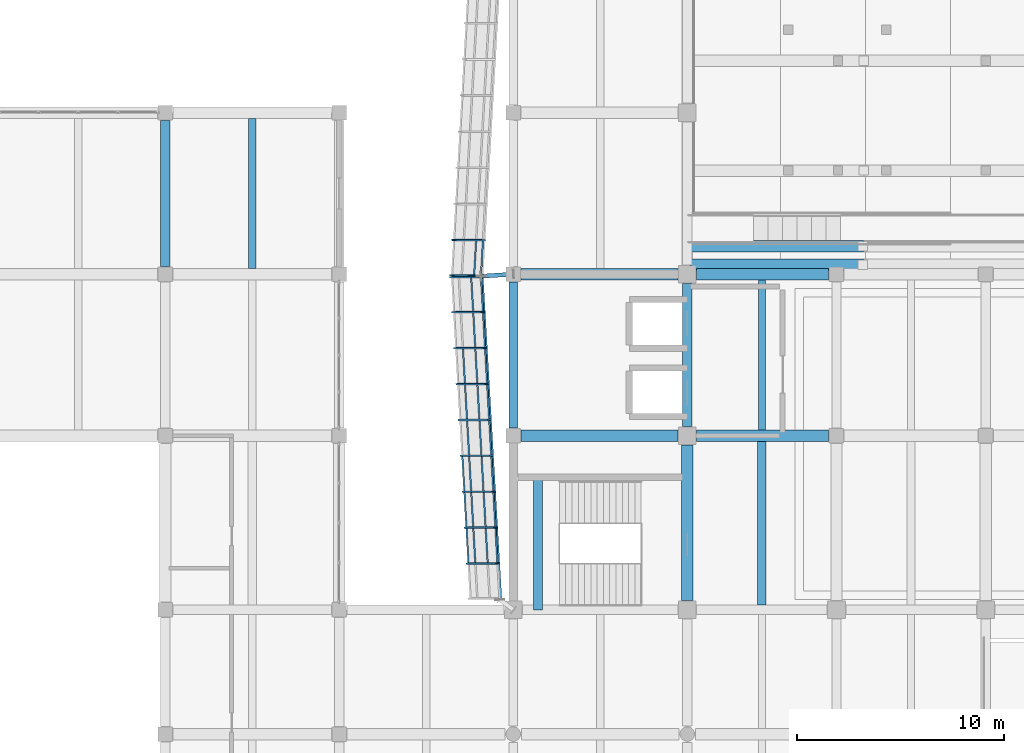
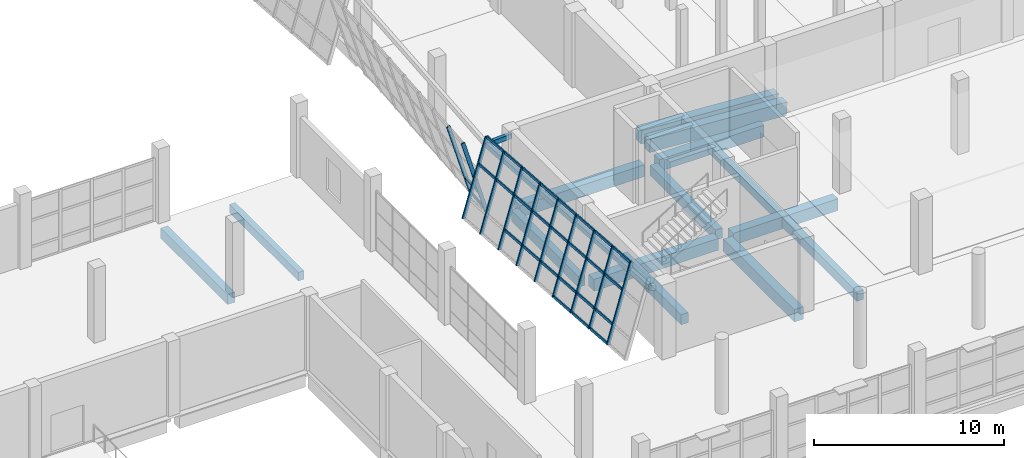
# One storey, part 29 of 91: 38 members, 16 beams, 2 elements without a shape of their own.
"""IFC4 building model written with IfcOpenShell, lengths in metres."""

from ifc_helpers import new_model, si_unit, direction, frame, origin, origin_2d, place, context, subcontext, project, spatial, rectangle, hollow_rectangle, extrude, material, material_profile, profile_set, type_object, element, aggregate, save


model = new_model("IFC4")

# Units and contexts
model_context = context("Model", 3, precision=1e-05, world=origin(), true_north=direction((0.0, 1.0)))
body_context = subcontext(model_context, "Body", "Model", "MODEL_VIEW")
ifc_project = project(units=[si_unit("LENGTHUNIT", "METRE"), si_unit("AREAUNIT", "SQUARE_METRE"), si_unit("VOLUMEUNIT", "CUBIC_METRE"), si_unit("PLANEANGLEUNIT", "RADIAN"), si_unit("MASSUNIT", "GRAM", prefix="KILO")], contexts=[model_context])

# Site, building, storey
site_placement = place(None, origin())
site = spatial("IfcSite", under=ifc_project, at=site_placement, CompositionType="ELEMENT")
building_placement = place(site_placement, origin())
building = spatial("IfcBuilding", under=site, at=building_placement, Name="Pellamere Symphony Hall", CompositionType="ELEMENT")
storey_placement = place(building_placement, frame((0.0, 0.0, 5.39990234375)))
storey = spatial("IfcBuildingStorey", under=building, at=storey_placement, Name="L01", CompositionType="ELEMENT", Elevation=5.39990234375)

# Curtain wall, members
ifc_material_1 = material(Name="Thermally Broken Anodised Aluminium 6063-T6 Curtain Wall", Category="aluminium")
curtain_wall_type = type_object("IfcCurtainWallType", Name="Curtain Wall CW-01 (Tilted Faceted Crystal Low-Iron Curtain Wall)", PredefinedType="NOTDEFINED", material=ifc_material_1)
curtain_wall_1_placement = place(storey_placement, origin())
curtain_wall_1 = element("IfcCurtainWall", 1, at=curtain_wall_1_placement, inside=storey, type_object=curtain_wall_type, Name="Crystal Faceted Curtain Wall CW-CR17 (L01)", PredefinedType="NOTDEFINED")
ifc_material_2 = material(Name="Anodised Architectural Aluminium 6063-T6", Category="aluminium")
ifc_material_profile_1 = material_profile(ifc_material_2, hollow_rectangle(XDim=0.074951171875, YDim=0.219970703125, WallThickness=0.0048828125, at=origin_2d()), Name="ALU-M75X220X5")
ifc_profile_set_1 = profile_set([ifc_material_profile_1], Name="Anodised Architectural Aluminium 6063-T6")
member_type_1 = type_object("IfcMemberType", Name="Curtain Wall Mullion ML-01 ALU-M75X220X5", PredefinedType="MULLION", material=ifc_profile_set_1)
member_1_placement = place(storey_placement, frame((48.949951171875, 47.844482421875, 0.0), z_axis=(-0.283977077304, 0.0, 0.958831069358), x_axis=(-0.054874749346, -0.99836096977, -0.016252259063)))
member_1 = element("IfcMember", 2, at=member_1_placement, type_object=member_type_1, Name="CW1-048 crystal mullion 9", PredefinedType="MULLION", context=body_context, shape_type="SweptSolid", body=[
    extrude(hollow_rectangle(XDim=0.074951171875, YDim=0.219970703125, WallThickness=0.0048828125, at=origin_2d()), origin(), (0.0, 0.0, 1.0), 5.006103515625),
])
member_2_placement = place(storey_placement, frame((48.85205078125, 46.137451171875, 0.0), z_axis=(-0.283977077304, 0.0, 0.958831069358), x_axis=(-0.054874749346, -0.99836096977, -0.016252259063)))
member_2 = element("IfcMember", 3, at=member_2_placement, type_object=member_type_1, Name="CW1-048 crystal mullion 10", PredefinedType="MULLION", context=body_context, shape_type="SweptSolid", body=[
    extrude(hollow_rectangle(XDim=0.074951171875, YDim=0.219970703125, WallThickness=0.0048828125, at=origin_2d()), origin(), (0.0, 0.0, 1.0), 5.006103515625),
])

curtain_wall_2_placement = place(storey_placement, origin())
curtain_wall_2 = element("IfcCurtainWall", 4, at=curtain_wall_2_placement, inside=storey, type_object=curtain_wall_type, Name="Crystal Faceted Curtain Wall CW-CR18 (L01)", PredefinedType="NOTDEFINED")
member_3_placement = place(storey_placement, frame((47.430419921875, 46.0625, 0.0), z_axis=(0.283977077304, 0.0, 0.958831069358), x_axis=(-0.055225347331, 0.998339941676, 0.016356095697)))
member_3 = element("IfcMember", 5, at=member_3_placement, type_object=member_type_1, Name="CW1-053 crystal mullion 1", PredefinedType="MULLION", context=body_context, shape_type="SweptSolid", body=[
    extrude(hollow_rectangle(XDim=0.074951171875, YDim=0.219970703125, WallThickness=0.0048828125, at=origin_2d()), origin(), (0.0, 0.0, 1.0), 5.006103515625),
])
member_4_placement = place(storey_placement, frame((47.5283203125, 44.36669921875, 0.0), z_axis=(0.283977077304, 0.0, 0.958831069358), x_axis=(-0.055225347331, 0.998339941676, 0.016356095697)))
member_4 = element("IfcMember", 6, at=member_4_placement, type_object=member_type_1, Name="CW1-053 crystal mullion 2", PredefinedType="MULLION", context=body_context, shape_type="SweptSolid", body=[
    extrude(hollow_rectangle(XDim=0.074951171875, YDim=0.219970703125, WallThickness=0.0048828125, at=origin_2d()), origin(), (0.0, 0.0, 1.0), 5.006103515625),
])
member_5_placement = place(storey_placement, frame((47.628173828125, 42.63330078125, 0.0), z_axis=(0.284021911736, 0.0, 0.9588177896), x_axis=(-0.055224582463, 0.998339941676, 0.016358678005)))
member_5 = element("IfcMember", 7, at=member_5_placement, type_object=member_type_1, Name="CW1-053 crystal mullion 3", PredefinedType="MULLION", context=body_context, shape_type="SweptSolid", body=[
    extrude(hollow_rectangle(XDim=0.074951171875, YDim=0.219970703125, WallThickness=0.0048828125, at=origin_2d()), origin(), (0.0, 0.0, 1.0), 5.006103515625),
])
member_6_placement = place(storey_placement, frame((47.728271484375, 40.89990234375, 0.0), z_axis=(0.283977077304, 0.0, 0.958831069358), x_axis=(-0.055225347331, 0.998339941676, 0.016356095697)))
member_6 = element("IfcMember", 8, at=member_6_placement, type_object=member_type_1, Name="CW1-053 crystal mullion 4", PredefinedType="MULLION", context=body_context, shape_type="SweptSolid", body=[
    extrude(hollow_rectangle(XDim=0.074951171875, YDim=0.219970703125, WallThickness=0.0048828125, at=origin_2d()), origin(), (0.0, 0.0, 1.0), 5.006103515625),
])
member_7_placement = place(storey_placement, frame((47.828125, 39.166748046875, 0.0), z_axis=(0.284021911736, 0.0, 0.9588177896), x_axis=(-0.055224582463, 0.998339941676, 0.016358678005)))
member_7 = element("IfcMember", 9, at=member_7_placement, type_object=member_type_1, Name="CW1-053 crystal mullion 5", PredefinedType="MULLION", context=body_context, shape_type="SweptSolid", body=[
    extrude(hollow_rectangle(XDim=0.074951171875, YDim=0.219970703125, WallThickness=0.0048828125, at=origin_2d()), origin(), (0.0, 0.0, 1.0), 5.006103515625),
])
member_8_placement = place(storey_placement, frame((47.92822265625, 37.433349609375, 0.0), z_axis=(0.284021911736, 0.0, 0.9588177896), x_axis=(-0.055224582463, 0.998339941676, 0.016358678005)))
member_8 = element("IfcMember", 10, at=member_8_placement, type_object=member_type_1, Name="CW1-053 crystal mullion 6", PredefinedType="MULLION", context=body_context, shape_type="SweptSolid", body=[
    extrude(hollow_rectangle(XDim=0.074951171875, YDim=0.219970703125, WallThickness=0.0048828125, at=origin_2d()), origin(), (0.0, 0.0, 1.0), 5.006103515625),
])
member_9_placement = place(storey_placement, frame((48.0283203125, 35.699951171875, 0.0), z_axis=(0.283977077304, 0.0, 0.958831069358), x_axis=(-0.055225347331, 0.998339941676, 0.016356095697)))
member_9 = element("IfcMember", 11, at=member_9_placement, type_object=member_type_1, Name="CW1-053 crystal mullion 7", PredefinedType="MULLION", context=body_context, shape_type="SweptSolid", body=[
    extrude(hollow_rectangle(XDim=0.074951171875, YDim=0.219970703125, WallThickness=0.0048828125, at=origin_2d()), origin(), (0.0, 0.0, 1.0), 5.006103515625),
])
member_10_placement = place(storey_placement, frame((48.128173828125, 33.966552734375, 0.0), z_axis=(0.284021911736, 0.0, 0.9588177896), x_axis=(-0.055224582463, 0.998339941676, 0.016358678005)))
member_10 = element("IfcMember", 12, at=member_10_placement, type_object=member_type_1, Name="CW1-053 crystal mullion 8", PredefinedType="MULLION", context=body_context, shape_type="SweptSolid", body=[
    extrude(hollow_rectangle(XDim=0.074951171875, YDim=0.219970703125, WallThickness=0.0048828125, at=origin_2d()), origin(), (0.0, 0.0, 1.0), 5.006103515625),
])
member_11_placement = place(storey_placement, frame((48.228271484375, 32.2333984375, 0.0), z_axis=(0.283977077304, 0.0, 0.958831069358), x_axis=(-0.055225347331, 0.998339941676, 0.016356095697)))
member_11 = element("IfcMember", 13, at=member_11_placement, type_object=member_type_1, Name="CW1-053 crystal mullion 9", PredefinedType="MULLION", context=body_context, shape_type="SweptSolid", body=[
    extrude(hollow_rectangle(XDim=0.074951171875, YDim=0.219970703125, WallThickness=0.0048828125, at=origin_2d()), origin(), (0.0, 0.0, 1.0), 5.006103515625),
])

# Member
ifc_material_profile_2 = material_profile(ifc_material_2, hollow_rectangle(XDim=0.074951171875, YDim=0.179931640625, WallThickness=0.0048828125, at=origin_2d()), Name="ALU-T75X180X5")
ifc_profile_set_2 = profile_set([ifc_material_profile_2], Name="Anodised Architectural Aluminium 6063-T6")
member_type_2 = type_object("IfcMemberType", Name="Curtain Wall Transom TR-01 ALU-T75X180X5", PredefinedType="USERDEFINED", material=ifc_profile_set_2)
member_12_placement = place(storey_placement, frame((48.937255859375, 47.806884765625, 0.0361328125), z_axis=(-0.057198647566, -0.998362817175, 0.0), x_axis=(0.998362817175, -0.057198647566, 0.0)))
member_12 = element("IfcMember", 14, at=member_12_placement, type_object=member_type_2, Name="CW1-048 crystal transom 9.1", ObjectType="TRANSOM", PredefinedType="USERDEFINED", context=body_context, shape_type="SweptSolid", body=[
    extrude(hollow_rectangle(XDim=0.074951171875, YDim=0.179931640625, WallThickness=0.0048828125, at=origin_2d()), origin(), (0.0, 0.0, 1.0), 1.634765625),
])

member_13_placement = place(storey_placement, frame((48.606689453125, 47.806884765625, 1.152099609375), z_axis=(-0.057347500779, -0.998354277877, 0.0), x_axis=(0.998354277877, -0.057347500779, 0.0)))
member_13 = element("IfcMember", 15, at=member_13_placement, type_object=member_type_2, Name="CW1-048 crystal transom 9.2", ObjectType="TRANSOM", PredefinedType="USERDEFINED", context=body_context, shape_type="SweptSolid", body=[
    extrude(hollow_rectangle(XDim=0.074951171875, YDim=0.179931640625, WallThickness=0.0048828125, at=origin_2d()), origin(), (0.0, 0.0, 1.0), 1.634765625),
])

aggregate(curtain_wall_1, [member_1, member_2, member_12, member_13])

member_14_placement = place(storey_placement, frame((48.370849609375, 46.025146484375, 3.168212890625), z_axis=(0.057585007883, -0.99834060664, 0.0), x_axis=(0.99834060664, 0.057585007883, 0.0)))
member_14 = element("IfcMember", 16, at=member_14_placement, type_object=member_type_2, Name="CW1-053 crystal transom 1.3", ObjectType="TRANSOM", PredefinedType="USERDEFINED", context=body_context, shape_type="SweptSolid", body=[
    extrude(hollow_rectangle(XDim=0.074951171875, YDim=0.179931640625, WallThickness=0.0048828125, at=origin_2d()), origin(), (0.0, 0.0, 1.0), 1.623779296875),
])

member_15_placement = place(storey_placement, frame((48.84375, 46.025146484375, 4.76416015625), z_axis=(0.057585007883, -0.99834060664, 0.0), x_axis=(0.99834060664, 0.057585007883, 0.0)))
member_15 = element("IfcMember", 17, at=member_15_placement, type_object=member_type_2, Name="CW1-053 crystal transom 1.4", ObjectType="TRANSOM", PredefinedType="USERDEFINED", context=body_context, shape_type="SweptSolid", body=[
    extrude(hollow_rectangle(XDim=0.074951171875, YDim=0.179931640625, WallThickness=0.0048828125, at=origin_2d()), origin(), (0.0, 0.0, 1.0), 1.623779296875),
])

member_16_placement = place(storey_placement, frame((48.46875, 44.329345703125, 3.168212890625), z_axis=(0.057602168051, -0.998339616682, 0.0), x_axis=(0.998339616682, 0.057602168051, 0.0)))
member_16 = element("IfcMember", 18, at=member_16_placement, type_object=member_type_2, Name="CW1-053 crystal transom 2.3", ObjectType="TRANSOM", PredefinedType="USERDEFINED", context=body_context, shape_type="SweptSolid", body=[
    extrude(hollow_rectangle(XDim=0.074951171875, YDim=0.179931640625, WallThickness=0.0048828125, at=origin_2d()), origin(), (0.0, 0.0, 1.0), 1.661376953125),
])

member_17_placement = place(storey_placement, frame((48.94140625, 44.329345703125, 4.76416015625), z_axis=(0.057602168051, -0.998339616682, 0.0), x_axis=(0.998339616682, 0.057602168051, 0.0)))
member_17 = element("IfcMember", 19, at=member_17_placement, type_object=member_type_2, Name="CW1-053 crystal transom 2.4", ObjectType="TRANSOM", PredefinedType="USERDEFINED", context=body_context, shape_type="SweptSolid", body=[
    extrude(hollow_rectangle(XDim=0.074951171875, YDim=0.179931640625, WallThickness=0.0048828125, at=origin_2d()), origin(), (0.0, 0.0, 1.0), 1.661376953125),
])

member_18_placement = place(storey_placement, frame((47.9716796875, 42.595947265625, 1.152099609375), z_axis=(0.057610619545, -0.998339129012, 0.0), x_axis=(0.998339129012, 0.057610619545, 0.0)))
member_18 = element("IfcMember", 20, at=member_18_placement, type_object=member_type_2, Name="CW1-053 crystal transom 3.2", ObjectType="TRANSOM", PredefinedType="USERDEFINED", context=body_context, shape_type="SweptSolid", body=[
    extrude(hollow_rectangle(XDim=0.074951171875, YDim=0.179931640625, WallThickness=0.0048828125, at=origin_2d()), origin(), (0.0, 0.0, 1.0), 1.6611328125),
])

member_19_placement = place(storey_placement, frame((48.56884765625, 42.595947265625, 3.168212890625), z_axis=(0.057464139598, -0.998347571069, 0.0), x_axis=(0.998347571069, 0.057464139598, 0.0)))
member_19 = element("IfcMember", 21, at=member_19_placement, type_object=member_type_2, Name="CW1-053 crystal transom 3.3", ObjectType="TRANSOM", PredefinedType="USERDEFINED", context=body_context, shape_type="SweptSolid", body=[
    extrude(hollow_rectangle(XDim=0.074951171875, YDim=0.179931640625, WallThickness=0.0048828125, at=origin_2d()), origin(), (0.0, 0.0, 1.0), 1.6611328125),
])

member_20_placement = place(storey_placement, frame((49.04150390625, 42.595947265625, 4.76416015625), z_axis=(0.057610619545, -0.998339129012, 0.0), x_axis=(0.998339129012, 0.057610619545, 0.0)))
member_20 = element("IfcMember", 22, at=member_20_placement, type_object=member_type_2, Name="CW1-053 crystal transom 3.4", ObjectType="TRANSOM", PredefinedType="USERDEFINED", context=body_context, shape_type="SweptSolid", body=[
    extrude(hollow_rectangle(XDim=0.074951171875, YDim=0.179931640625, WallThickness=0.0048828125, at=origin_2d()), origin(), (0.0, 0.0, 1.0), 1.6611328125),
])

member_21_placement = place(storey_placement, frame((48.071533203125, 40.862548828125, 1.152099609375), z_axis=(0.057610619545, -0.998339129012, 0.0), x_axis=(0.998339129012, 0.057610619545, 0.0)))
member_21 = element("IfcMember", 23, at=member_21_placement, type_object=member_type_2, Name="CW1-053 crystal transom 4.2", ObjectType="TRANSOM", PredefinedType="USERDEFINED", context=body_context, shape_type="SweptSolid", body=[
    extrude(hollow_rectangle(XDim=0.074951171875, YDim=0.179931640625, WallThickness=0.0048828125, at=origin_2d()), origin(), (0.0, 0.0, 1.0), 1.6611328125),
])

member_22_placement = place(storey_placement, frame((48.668701171875, 40.862548828125, 3.168212890625), z_axis=(0.057610619545, -0.998339129012, 0.0), x_axis=(0.998339129012, 0.057610619545, 0.0)))
member_22 = element("IfcMember", 24, at=member_22_placement, type_object=member_type_2, Name="CW1-053 crystal transom 4.3", ObjectType="TRANSOM", PredefinedType="USERDEFINED", context=body_context, shape_type="SweptSolid", body=[
    extrude(hollow_rectangle(XDim=0.074951171875, YDim=0.179931640625, WallThickness=0.0048828125, at=origin_2d()), origin(), (0.0, 0.0, 1.0), 1.6611328125),
])

member_23_placement = place(storey_placement, frame((49.1416015625, 40.862548828125, 4.76416015625), z_axis=(0.057610619545, -0.998339129012, 0.0), x_axis=(0.998339129012, 0.057610619545, 0.0)))
member_23 = element("IfcMember", 25, at=member_23_placement, type_object=member_type_2, Name="CW1-053 crystal transom 4.4", ObjectType="TRANSOM", PredefinedType="USERDEFINED", context=body_context, shape_type="SweptSolid", body=[
    extrude(hollow_rectangle(XDim=0.074951171875, YDim=0.179931640625, WallThickness=0.0048828125, at=origin_2d()), origin(), (0.0, 0.0, 1.0), 1.6611328125),
])

member_24_placement = place(storey_placement, frame((48.171630859375, 39.129150390625, 1.152099609375), z_axis=(0.057610619545, -0.998339129012, 0.0), x_axis=(0.998339129012, 0.057610619545, 0.0)))
member_24 = element("IfcMember", 26, at=member_24_placement, type_object=member_type_2, Name="CW1-053 crystal transom 5.2", ObjectType="TRANSOM", PredefinedType="USERDEFINED", context=body_context, shape_type="SweptSolid", body=[
    extrude(hollow_rectangle(XDim=0.074951171875, YDim=0.179931640625, WallThickness=0.0048828125, at=origin_2d()), origin(), (0.0, 0.0, 1.0), 1.6611328125),
])

member_25_placement = place(storey_placement, frame((48.768798828125, 39.129150390625, 3.168212890625), z_axis=(0.057610619545, -0.998339129012, 0.0), x_axis=(0.998339129012, 0.057610619545, 0.0)))
member_25 = element("IfcMember", 27, at=member_25_placement, type_object=member_type_2, Name="CW1-053 crystal transom 5.3", ObjectType="TRANSOM", PredefinedType="USERDEFINED", context=body_context, shape_type="SweptSolid", body=[
    extrude(hollow_rectangle(XDim=0.074951171875, YDim=0.179931640625, WallThickness=0.0048828125, at=origin_2d()), origin(), (0.0, 0.0, 1.0), 1.6611328125),
])

member_26_placement = place(storey_placement, frame((49.241455078125, 39.129150390625, 4.76416015625), z_axis=(0.057610619545, -0.998339129012, 0.0), x_axis=(0.998339129012, 0.057610619545, 0.0)))
member_26 = element("IfcMember", 28, at=member_26_placement, type_object=member_type_2, Name="CW1-053 crystal transom 5.4", ObjectType="TRANSOM", PredefinedType="USERDEFINED", context=body_context, shape_type="SweptSolid", body=[
    extrude(hollow_rectangle(XDim=0.074951171875, YDim=0.179931640625, WallThickness=0.0048828125, at=origin_2d()), origin(), (0.0, 0.0, 1.0), 1.6611328125),
])

member_27_placement = place(storey_placement, frame((47.94091796875, 37.39599609375, 0.0361328125), z_axis=(0.057610619545, -0.998339129012, 0.0), x_axis=(0.998339129012, 0.057610619545, 0.0)))
member_27 = element("IfcMember", 29, at=member_27_placement, type_object=member_type_2, Name="CW1-053 crystal transom 6.1", ObjectType="TRANSOM", PredefinedType="USERDEFINED", context=body_context, shape_type="SweptSolid", body=[
    extrude(hollow_rectangle(XDim=0.074951171875, YDim=0.179931640625, WallThickness=0.0048828125, at=origin_2d()), origin(), (0.0, 0.0, 1.0), 1.6611328125),
])

member_28_placement = place(storey_placement, frame((48.271484375, 37.39599609375, 1.152099609375), z_axis=(0.057610619545, -0.998339129012, 0.0), x_axis=(0.998339129012, 0.057610619545, 0.0)))
member_28 = element("IfcMember", 30, at=member_28_placement, type_object=member_type_2, Name="CW1-053 crystal transom 6.2", ObjectType="TRANSOM", PredefinedType="USERDEFINED", context=body_context, shape_type="SweptSolid", body=[
    extrude(hollow_rectangle(XDim=0.074951171875, YDim=0.179931640625, WallThickness=0.0048828125, at=origin_2d()), origin(), (0.0, 0.0, 1.0), 1.6611328125),
])

member_29_placement = place(storey_placement, frame((48.86865234375, 37.39599609375, 3.168212890625), z_axis=(0.057610619545, -0.998339129012, 0.0), x_axis=(0.998339129012, 0.057610619545, 0.0)))
member_29 = element("IfcMember", 31, at=member_29_placement, type_object=member_type_2, Name="CW1-053 crystal transom 6.3", ObjectType="TRANSOM", PredefinedType="USERDEFINED", context=body_context, shape_type="SweptSolid", body=[
    extrude(hollow_rectangle(XDim=0.074951171875, YDim=0.179931640625, WallThickness=0.0048828125, at=origin_2d()), origin(), (0.0, 0.0, 1.0), 1.6611328125),
])

member_30_placement = place(storey_placement, frame((49.341552734375, 37.39599609375, 4.76416015625), z_axis=(0.057610619545, -0.998339129012, 0.0), x_axis=(0.998339129012, 0.057610619545, 0.0)))
member_30 = element("IfcMember", 32, at=member_30_placement, type_object=member_type_2, Name="CW1-053 crystal transom 6.4", ObjectType="TRANSOM", PredefinedType="USERDEFINED", context=body_context, shape_type="SweptSolid", body=[
    extrude(hollow_rectangle(XDim=0.074951171875, YDim=0.179931640625, WallThickness=0.0048828125, at=origin_2d()), origin(), (0.0, 0.0, 1.0), 1.6611328125),
])

member_31_placement = place(storey_placement, frame((48.041015625, 35.66259765625, 0.0361328125), z_axis=(0.057610619545, -0.998339129012, 0.0), x_axis=(0.998339129012, 0.057610619545, 0.0)))
member_31 = element("IfcMember", 33, at=member_31_placement, type_object=member_type_2, Name="CW1-053 crystal transom 7.1", ObjectType="TRANSOM", PredefinedType="USERDEFINED", context=body_context, shape_type="SweptSolid", body=[
    extrude(hollow_rectangle(XDim=0.074951171875, YDim=0.179931640625, WallThickness=0.0048828125, at=origin_2d()), origin(), (0.0, 0.0, 1.0), 1.6611328125),
])

member_32_placement = place(storey_placement, frame((48.37158203125, 35.66259765625, 1.152099609375), z_axis=(0.057610619545, -0.998339129012, 0.0), x_axis=(0.998339129012, 0.057610619545, 0.0)))
member_32 = element("IfcMember", 34, at=member_32_placement, type_object=member_type_2, Name="CW1-053 crystal transom 7.2", ObjectType="TRANSOM", PredefinedType="USERDEFINED", context=body_context, shape_type="SweptSolid", body=[
    extrude(hollow_rectangle(XDim=0.074951171875, YDim=0.179931640625, WallThickness=0.0048828125, at=origin_2d()), origin(), (0.0, 0.0, 1.0), 1.6611328125),
])

member_33_placement = place(storey_placement, frame((48.96875, 35.66259765625, 3.168212890625), z_axis=(0.057610619545, -0.998339129012, 0.0), x_axis=(0.998339129012, 0.057610619545, 0.0)))
member_33 = element("IfcMember", 35, at=member_33_placement, type_object=member_type_2, Name="CW1-053 crystal transom 7.3", ObjectType="TRANSOM", PredefinedType="USERDEFINED", context=body_context, shape_type="SweptSolid", body=[
    extrude(hollow_rectangle(XDim=0.074951171875, YDim=0.179931640625, WallThickness=0.0048828125, at=origin_2d()), origin(), (0.0, 0.0, 1.0), 1.6611328125),
])

member_34_placement = place(storey_placement, frame((49.44140625, 35.66259765625, 4.76416015625), z_axis=(0.057610619545, -0.998339129012, 0.0), x_axis=(0.998339129012, 0.057610619545, 0.0)))
member_34 = element("IfcMember", 36, at=member_34_placement, type_object=member_type_2, Name="CW1-053 crystal transom 7.4", ObjectType="TRANSOM", PredefinedType="USERDEFINED", context=body_context, shape_type="SweptSolid", body=[
    extrude(hollow_rectangle(XDim=0.074951171875, YDim=0.179931640625, WallThickness=0.0048828125, at=origin_2d()), origin(), (0.0, 0.0, 1.0), 1.6611328125),
])

member_35_placement = place(storey_placement, frame((48.14111328125, 33.92919921875, 0.0361328125), z_axis=(0.057464139598, -0.998347571069, 0.0), x_axis=(0.998347571069, 0.057464139598, 0.0)))
member_35 = element("IfcMember", 37, at=member_35_placement, type_object=member_type_2, Name="CW1-053 crystal transom 8.1", ObjectType="TRANSOM", PredefinedType="USERDEFINED", context=body_context, shape_type="SweptSolid", body=[
    extrude(hollow_rectangle(XDim=0.074951171875, YDim=0.179931640625, WallThickness=0.0048828125, at=origin_2d()), origin(), (0.0, 0.0, 1.0), 1.6611328125),
])

member_36_placement = place(storey_placement, frame((48.4716796875, 33.92919921875, 1.152099609375), z_axis=(0.057610619545, -0.998339129012, 0.0), x_axis=(0.998339129012, 0.057610619545, 0.0)))
member_36 = element("IfcMember", 38, at=member_36_placement, type_object=member_type_2, Name="CW1-053 crystal transom 8.2", ObjectType="TRANSOM", PredefinedType="USERDEFINED", context=body_context, shape_type="SweptSolid", body=[
    extrude(hollow_rectangle(XDim=0.074951171875, YDim=0.179931640625, WallThickness=0.0048828125, at=origin_2d()), origin(), (0.0, 0.0, 1.0), 1.6611328125),
])

member_37_placement = place(storey_placement, frame((49.06884765625, 33.92919921875, 3.168212890625), z_axis=(0.057464139598, -0.998347571069, 0.0), x_axis=(0.998347571069, 0.057464139598, 0.0)))
member_37 = element("IfcMember", 39, at=member_37_placement, type_object=member_type_2, Name="CW1-053 crystal transom 8.3", ObjectType="TRANSOM", PredefinedType="USERDEFINED", context=body_context, shape_type="SweptSolid", body=[
    extrude(hollow_rectangle(XDim=0.074951171875, YDim=0.179931640625, WallThickness=0.0048828125, at=origin_2d()), origin(), (0.0, 0.0, 1.0), 1.6611328125),
])

member_38_placement = place(storey_placement, frame((49.54150390625, 33.92919921875, 4.76416015625), z_axis=(0.057610619545, -0.998339129012, 0.0), x_axis=(0.998339129012, 0.057610619545, 0.0)))
member_38 = element("IfcMember", 40, at=member_38_placement, type_object=member_type_2, Name="CW1-053 crystal transom 8.4", ObjectType="TRANSOM", PredefinedType="USERDEFINED", context=body_context, shape_type="SweptSolid", body=[
    extrude(hollow_rectangle(XDim=0.074951171875, YDim=0.179931640625, WallThickness=0.0048828125, at=origin_2d()), origin(), (0.0, 0.0, 1.0), 1.6611328125),
])

aggregate(curtain_wall_2, [member_3, member_4, member_5, member_6, member_7, member_8, member_9, member_10, member_11, member_14, member_15, member_16, member_17, member_18, member_19, member_20, member_21, member_22, member_23, member_24, member_25, member_26, member_27, member_28, member_29, member_30, member_31, member_32, member_33, member_34, member_35, member_36, member_37, member_38])

# Beams
ifc_material_3 = material(Name="Concrete 40 MPa", Category="concrete")
ifc_material_profile_3 = material_profile(ifc_material_3, rectangle(XDim=0.550048828125, YDim=0.800048828125, at=origin_2d()), Name="RC 550x800")
ifc_profile_set_3 = profile_set([ifc_material_profile_3], Name="Concrete 40 MPa")
beam_type_1 = type_object("IfcBeamType", Name="RC CB-05 550x800", PredefinedType="BEAM", material=ifc_profile_set_3)
beam_1_placement = place(storey_placement, frame((58.800048828125, 30.449951171875, -0.679931640625), z_axis=(0.0, 1.0, 0.0), x_axis=(-1.0, 0.0, 0.0)))
element("IfcBeam", 41, at=beam_1_placement, inside=storey, type_object=beam_type_1, Name="Girder CB-05-Y0758 (L01)", PredefinedType="BEAM", context=body_context, shape_type="SweptSolid", body=[
    extrude(rectangle(XDim=0.550048828125, YDim=0.800048828125, at=origin_2d()), origin(), (0.0, 0.0, 1.0), 7.5),
])
ifc_material_profile_4 = material_profile(ifc_material_3, rectangle(XDim=0.449951171875, YDim=0.64990234375, at=origin_2d()), Name="RC 450x650")
ifc_profile_set_4 = profile_set([ifc_material_profile_4], Name="Concrete 40 MPa")
beam_type_2 = type_object("IfcBeamType", Name="RC CB-08 450x650", PredefinedType="BEAM", material=ifc_profile_set_4)
beam_2_placement = place(storey_placement, frame((33.60009765625, 46.574951171875, -0.60498046875), z_axis=(0.0, 1.0, 0.0), x_axis=(-1.0, 0.0, 0.0)))
element("IfcBeam", 42, at=beam_2_placement, inside=storey, type_object=beam_type_2, Name="Girder CB-08-Y0740 (L01)", PredefinedType="BEAM", context=body_context, shape_type="SweptSolid", body=[
    extrude(rectangle(XDim=0.449951171875, YDim=0.64990234375, at=origin_2d()), origin(), (0.0, 0.0, 1.0), 7.050048828125),
])
beam_3_placement = place(storey_placement, frame((58.800048828125, 38.85009765625, -0.60498046875), z_axis=(0.0, 1.0, 0.0), x_axis=(-1.0, 0.0, 0.0)))
element("IfcBeam", 43, at=beam_3_placement, inside=storey, type_object=beam_type_2, Name="Girder CB-08-Y0759 (L01)", PredefinedType="BEAM", context=body_context, shape_type="SweptSolid", body=[
    extrude(rectangle(XDim=0.449951171875, YDim=0.64990234375, at=origin_2d()), origin(), (0.0, 0.0, 1.0), 6.89990234375),
])
beam_4_placement = place(storey_placement, frame((51.592529296875, 29.97998046875, 1.85498046875), z_axis=(0.0, 1.0, 0.0), x_axis=(-1.0, 0.0, 0.0)))
element("IfcBeam", 44, at=beam_4_placement, inside=storey, type_object=beam_type_2, Name="Stair ST01-L01 Half Landing Support Beam (L01)", PredefinedType="BEAM", context=body_context, shape_type="SweptSolid", body=[
    extrude(rectangle(XDim=0.449951171875, YDim=0.64990234375, at=origin_2d()), origin(), (0.0, 0.0, 1.0), 6.43994140625),
])
ifc_material_profile_5 = material_profile(ifc_material_3, rectangle(XDim=0.39990234375, YDim=0.60009765625, at=origin_2d()), Name="RC 400x600")
ifc_profile_set_5 = profile_set([ifc_material_profile_5], Name="Concrete 40 MPa")
beam_type_3 = type_object("IfcBeamType", Name="RC CB-09 400x600", PredefinedType="BEAM", material=ifc_profile_set_5)
beam_5_placement = place(storey_placement, frame((62.39990234375, 30.22509765625, -0.594970703125), z_axis=(0.0, 1.0, 0.0), x_axis=(-1.0, 0.0, 0.0)))
element("IfcBeam", 45, at=beam_5_placement, inside=storey, type_object=beam_type_3, Name="Secondary Floor Beam CB-09-M0704 (L01)", PredefinedType="BEAM", context=body_context, shape_type="SweptSolid", body=[
    extrude(rectangle(XDim=0.39990234375, YDim=0.60009765625, at=origin_2d()), origin(), (0.0, 0.0, 1.0), 7.89501953125),
])
ifc_material_4 = material(Name="Concrete 35 MPa", Category="concrete")
ifc_material_profile_6 = material_profile(ifc_material_4, rectangle(XDim=0.35009765625, YDim=0.550048828125, at=origin_2d()), Name="RC 350x550")
ifc_profile_set_6 = profile_set([ifc_material_profile_6], Name="Concrete 35 MPa")
beam_type_4 = type_object("IfcBeamType", Name="RC CB-10 350x550", PredefinedType="BEAM", material=ifc_profile_set_6)
for number, where, z_axis, x_axis, name in (
    (46, (37.800048828125, 46.47998046875, -0.56982421875), (0.0, 1.0, 0.0), (-1.0, 0.0, 0.0), "Secondary Floor Beam CB-10-M0406 (L01)"),
    (47, (62.39990234375, 38.679931640625, -0.56982421875), (0.0, 1.0, 0.0), (-1.0, 0.0, 0.0), "Secondary Floor Beam CB-10-M0705 (L01)"),
):
    element("IfcBeam", number, at=place(storey_placement, frame(where, z_axis=z_axis, x_axis=x_axis)), inside=storey, type_object=beam_type_4, Name=name, PredefinedType="BEAM", context=body_context, shape_type="SweptSolid", body=[
        extrude(rectangle(XDim=0.35009765625, YDim=0.550048828125, at=origin_2d()), origin(), (0.0, 0.0, 1.0), 7.239990234375),
    ])
ifc_material_profile_7 = material_profile(ifc_material_3, rectangle(XDim=0.39990234375, YDim=0.699951171875, at=origin_2d()), Name="RC 400x700")
ifc_profile_set_7 = profile_set([ifc_material_profile_7], Name="Concrete 40 MPa")
beam_type_5 = type_object("IfcBeamType", Name="RC CB-13 400x700", PredefinedType="SPANDREL", material=ifc_profile_set_7)
beam_6_placement = place(storey_placement, frame((50.39990234375, 38.77490234375, -0.6298828125), z_axis=(0.0, 1.0, 0.0), x_axis=(-1.0, 0.0, 0.0)))
element("IfcBeam", 48, at=beam_6_placement, inside=storey, type_object=beam_type_5, Name="Girder CB-13-Y0749 (L01)", PredefinedType="SPANDREL", context=body_context, shape_type="SweptSolid", body=[
    extrude(rectangle(XDim=0.39990234375, YDim=0.699951171875, at=origin_2d()), origin(), (0.0, 0.0, 1.0), 7.050048828125),
])
ifc_material_profile_8 = material_profile(ifc_material_3, rectangle(XDim=0.56005859375, YDim=0.760009765625, at=origin_2d()), Name="RC 560x760")
ifc_profile_set_8 = profile_set([ifc_material_profile_8], Name="Concrete 40 MPa")
beam_type_6 = type_object("IfcBeamType", Name="RC CB-18 560x760", PredefinedType="BEAM", material=ifc_profile_set_8)
beam_7_placement = place(storey_placement, frame((50.77490234375, 38.39990234375, -0.659912109375), z_axis=(1.0, 0.0, 0.0), x_axis=(0.0, 1.0, 0.0)))
element("IfcBeam", 49, at=beam_7_placement, inside=storey, type_object=beam_type_6, Name="Girder CB-18-X0600 (L01)", PredefinedType="BEAM", context=body_context, shape_type="SweptSolid", body=[
    extrude(rectangle(XDim=0.56005859375, YDim=0.760009765625, at=origin_2d()), origin(), (0.0, 0.0, 1.0), 7.5751953125),
])
beam_8_placement = place(storey_placement, frame((59.25, 38.39990234375, -0.659912109375), z_axis=(1.0, 0.0, 0.0), x_axis=(0.0, 1.0, 0.0)))
element("IfcBeam", 50, at=beam_8_placement, inside=storey, type_object=beam_type_6, Name="Girder CB-18-X0601 (L01)", PredefinedType="BEAM", context=body_context, shape_type="SweptSolid", body=[
    extrude(rectangle(XDim=0.56005859375, YDim=0.760009765625, at=origin_2d()), origin(), (0.0, 0.0, 1.0), 6.375),
])
beam_9_placement = place(storey_placement, frame((50.77490234375, 46.199951171875, -0.659912109375), z_axis=(1.0, 0.0, 0.0), x_axis=(0.0, 1.0, 0.0)))
element("IfcBeam", 51, at=beam_9_placement, inside=storey, type_object=beam_type_6, Name="Girder CB-18-X0620 (L01)", PredefinedType="BEAM", context=body_context, shape_type="SweptSolid", body=[
    extrude(rectangle(XDim=0.56005859375, YDim=0.760009765625, at=origin_2d()), origin(), (0.0, 0.0, 1.0), 7.5751953125),
])
beam_10_placement = place(storey_placement, frame((59.25, 46.199951171875, -0.659912109375), z_axis=(1.0, 0.0, 0.0), x_axis=(0.0, 1.0, 0.0)))
element("IfcBeam", 52, at=beam_10_placement, inside=storey, type_object=beam_type_6, Name="Girder CB-18-X0621 (L01)", PredefinedType="BEAM", context=body_context, shape_type="SweptSolid", body=[
    extrude(rectangle(XDim=0.56005859375, YDim=0.760009765625, at=origin_2d()), origin(), (0.0, 0.0, 1.0), 6.375),
])
ifc_material_profile_9 = material_profile(ifc_material_3, rectangle(XDim=0.550048828125, YDim=0.85009765625, at=origin_2d()), Name="RC 550x850")
ifc_profile_set_9 = profile_set([ifc_material_profile_9], Name="Concrete 40 MPa")
beam_type_7 = type_object("IfcBeamType", Name="RC RK-02 550x850", PredefinedType="BEAM", material=ifc_profile_set_9)
for number, where, z_axis, x_axis, name in (
    (53, (67.27490234375, 46.64990234375, -0.079833984375), (-0.998018148622, 0.0, 0.062926743293), (0.0, -1.0, 0.0), "Stand Dress Circle Raker Beam RK-02-024"),
    (54, (67.27490234375, 47.550048828125, -0.079833984375), (-0.998018148622, 0.0, 0.062926743293), (0.0, -1.0, 0.0), "Stand Dress Circle Raker Beam RK-02-026"),
):
    element("IfcBeam", number, at=place(storey_placement, frame(where, z_axis=z_axis, x_axis=x_axis)), inside=storey, type_object=beam_type_7, Name=name, PredefinedType="BEAM", context=body_context, shape_type="SweptSolid", body=[
        extrude(rectangle(XDim=0.550048828125, YDim=0.85009765625, at=origin_2d()), origin(), (0.0, 0.0, 1.0), 8.341552734375),
    ])
ifc_material_5 = material(Name="Steel CSA G40.21 350W", Category="steel")
ifc_material_profile_10 = material_profile(ifc_material_5, hollow_rectangle(XDim=0.203125, YDim=0.3046875, WallThickness=0.0126953125, at=origin_2d()), Name="HSS305X203X13")
ifc_profile_set_10 = profile_set([ifc_material_profile_10], Name="Steel CSA G40.21 350W")
beam_type_8 = type_object("IfcBeamType", Name="Steel Spandrel SB-26 HSS305X203X13", PredefinedType="SPANDREL", material=ifc_profile_set_10)
beam_11_placement = place(storey_placement, frame((50.39990234375, 46.199951171875, 4.239990234375), z_axis=(-0.997930844069, -0.064296426469, 0.0), x_axis=(0.064296426469, -0.997930844069, 0.0)))
element("IfcBeam", 55, at=beam_11_placement, inside=storey, type_object=beam_type_8, Name="Crystal Ring Outrigger Bracket 109 (L01)", PredefinedType="SPANDREL", context=body_context, shape_type="SweptSolid", body=[
    extrude(hollow_rectangle(XDim=0.203125, YDim=0.3046875, WallThickness=0.0126953125, at=origin_2d()), origin(), (0.0, 0.0, 1.0), 1.552978515625),
])
beam_12_placement = place(storey_placement, frame((48.85009765625, 46.10009765625, 4.239990234375), z_axis=(0.057589946883, -0.998340321743, 0.0), x_axis=(0.998340321743, 0.057589946883, 0.0)))
element("IfcBeam", 56, at=beam_12_placement, inside=storey, type_object=beam_type_8, Name="Crystal Perimeter Ring Beam CW-CR18 (L01)", PredefinedType="SPANDREL", context=body_context, shape_type="SweptSolid", body=[
    extrude(hollow_rectangle(XDim=0.203125, YDim=0.3046875, WallThickness=0.0126953125, at=origin_2d()), origin(), (0.0, 0.0, 1.0), 15.6259765625),
])

save(model, "model.ifc")
